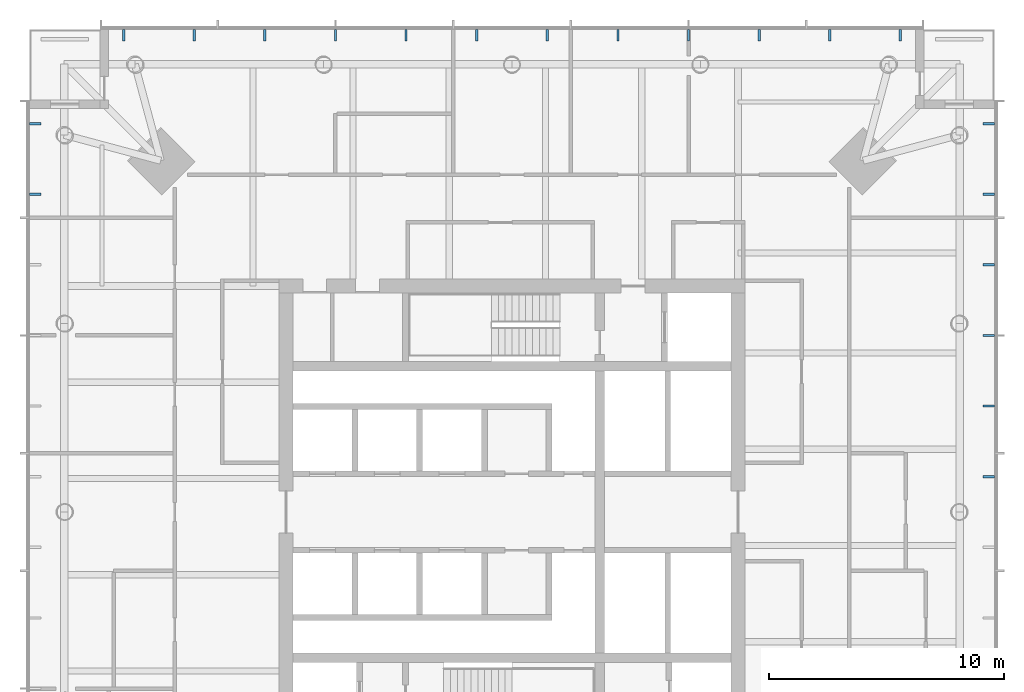
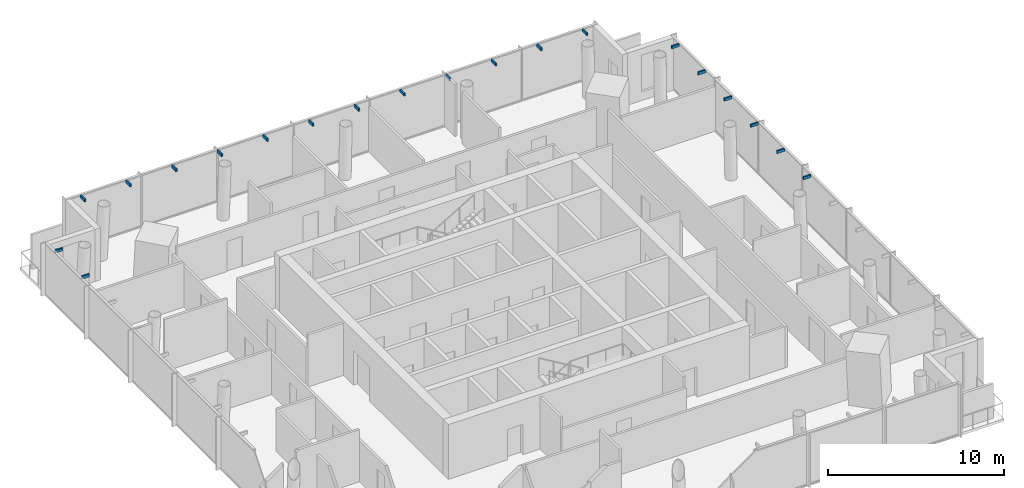
# One storey, part 8 of 9: 20 discrete accessories.
"""IFC4 building model written with IfcOpenShell, lengths in metres."""

from ifc_helpers import new_model, si_unit, direction, frame, origin, origin_2d, place, context, subcontext, project, spatial, rectangle, extrude, material, type_object, element, save


model = new_model("IFC4")

# Units and contexts
model_context = context("Model", 3, precision=1e-05, world=origin(), true_north=direction((0.0, 1.0)))
body_context = subcontext(model_context, "Body", "Model", "MODEL_VIEW")
ifc_project = project(units=[si_unit("LENGTHUNIT", "METRE"), si_unit("AREAUNIT", "SQUARE_METRE"), si_unit("VOLUMEUNIT", "CUBIC_METRE"), si_unit("PLANEANGLEUNIT", "RADIAN"), si_unit("MASSUNIT", "GRAM", prefix="KILO")], contexts=[model_context])

# Site, building, storey
site_placement = place(None, origin())
site = spatial("IfcSite", under=ifc_project, at=site_placement, CompositionType="ELEMENT")
building_placement = place(site_placement, origin())
building = spatial("IfcBuilding", under=site, at=building_placement, Name="Ostroluk Exchange", CompositionType="ELEMENT")
storey_placement = place(building_placement, frame((0.0, 0.0, 176.800048828125)))
storey = spatial("IfcBuildingStorey", under=building, at=storey_placement, Name="L45", CompositionType="ELEMENT", Elevation=176.800048828125)

# Discrete accessories
ifc_material = material(Name="Steel S355", Category="steel")
discrete_accessory_type = type_object("IfcDiscreteAccessoryType", Name="Maintenance roof bracket", PredefinedType="BRACKET", material=ifc_material)
for number, where, z_axis, x_axis, name in (
    (1, (65.25, 47.5, 3.4501953125), (0.0, 0.0, 1.0), (1.0, 0.0, 0.0), "Maintenance roof bracket L46 east 7"),
    (2, (65.25, 50.5, 3.4501953125), (0.0, 0.0, 1.0), (1.0, 0.0, 0.0), "Maintenance roof bracket L46 east 8"),
    (3, (65.25, 53.5, 3.4501953125), (0.0, 0.0, 1.0), (1.0, 0.0, 0.0), "Maintenance roof bracket L46 east 9"),
    (4, (65.25, 56.5, 3.4501953125), (0.0, 0.0, 1.0), (1.0, 0.0, 0.0), "Maintenance roof bracket L46 east 10"),
    (5, (65.25, 59.5, 3.4501953125), (0.0, 0.0, 1.0), (1.0, 0.0, 0.0), "Maintenance roof bracket L46 east 11"),
    (6, (65.25, 62.5, 3.4501953125), (0.0, 0.0, 1.0), (1.0, 0.0, 0.0), "Maintenance roof bracket L46 east 12"),
):
    element("IfcDiscreteAccessory", number, at=place(storey_placement, frame(where, z_axis=z_axis, x_axis=x_axis)), inside=storey, type_object=discrete_accessory_type, Name=name, PredefinedType="BRACKET", context=body_context, shape_type="SweptSolid", body=[
        extrude(rectangle(XDim=0.5, YDim=0.10009765625, at=origin_2d()), origin(), (0.0, 0.0, 1.0), 0.199951171875),
    ])
for number, where, z_axis, x_axis, name in (
    (7, (28.5, 66.25, 3.4501953125), (0.0, 0.0, 1.0), (1.0, 0.0, 0.0), "Maintenance roof bracket L46 north 1"),
    (8, (31.5, 66.25, 3.4501953125), (0.0, 0.0, 1.0), (1.0, 0.0, 0.0), "Maintenance roof bracket L46 north 2"),
    (9, (34.5, 66.25, 3.4501953125), (0.0, 0.0, 1.0), (1.0, 0.0, 0.0), "Maintenance roof bracket L46 north 3"),
    (10, (37.5, 66.25, 3.4501953125), (0.0, 0.0, 1.0), (1.0, 0.0, 0.0), "Maintenance roof bracket L46 north 4"),
    (11, (40.5, 66.25, 3.4501953125), (0.0, 0.0, 1.0), (1.0, 0.0, 0.0), "Maintenance roof bracket L46 north 5"),
    (12, (43.5, 66.25, 3.4501953125), (0.0, 0.0, 1.0), (1.0, 0.0, 0.0), "Maintenance roof bracket L46 north 6"),
    (13, (46.5, 66.25, 3.4501953125), (0.0, 0.0, 1.0), (1.0, 0.0, 0.0), "Maintenance roof bracket L46 north 7"),
    (14, (49.5, 66.25, 3.4501953125), (0.0, 0.0, 1.0), (1.0, 0.0, 0.0), "Maintenance roof bracket L46 north 8"),
    (15, (52.5, 66.25, 3.4501953125), (0.0, 0.0, 1.0), (1.0, 0.0, 0.0), "Maintenance roof bracket L46 north 9"),
    (16, (55.5, 66.25, 3.4501953125), (0.0, 0.0, 1.0), (1.0, 0.0, 0.0), "Maintenance roof bracket L46 north 10"),
    (17, (58.5, 66.25, 3.4501953125), (0.0, 0.0, 1.0), (1.0, 0.0, 0.0), "Maintenance roof bracket L46 north 11"),
    (18, (61.5, 66.25, 3.4501953125), (0.0, 0.0, 1.0), (1.0, 0.0, 0.0), "Maintenance roof bracket L46 north 12"),
):
    element("IfcDiscreteAccessory", number, at=place(storey_placement, frame(where, z_axis=z_axis, x_axis=x_axis)), inside=storey, type_object=discrete_accessory_type, Name=name, PredefinedType="BRACKET", context=body_context, shape_type="SweptSolid", body=[
        extrude(rectangle(XDim=0.10009765625, YDim=0.5, at=origin_2d()), origin(), (0.0, 0.0, 1.0), 0.199951171875),
    ])
for number, where, z_axis, x_axis, name in (
    (19, (24.75, 59.5, 3.4501953125), (0.0, 0.0, 1.0), (1.0, 0.0, 0.0), "Maintenance roof bracket L46 west 11"),
    (20, (24.75, 62.5, 3.4501953125), (0.0, 0.0, 1.0), (1.0, 0.0, 0.0), "Maintenance roof bracket L46 west 12"),
):
    element("IfcDiscreteAccessory", number, at=place(storey_placement, frame(where, z_axis=z_axis, x_axis=x_axis)), inside=storey, type_object=discrete_accessory_type, Name=name, PredefinedType="BRACKET", context=body_context, shape_type="SweptSolid", body=[
        extrude(rectangle(XDim=0.5, YDim=0.10009765625, at=origin_2d()), origin(), (0.0, 0.0, 1.0), 0.199951171875),
    ])

save(model, "model.ifc")
